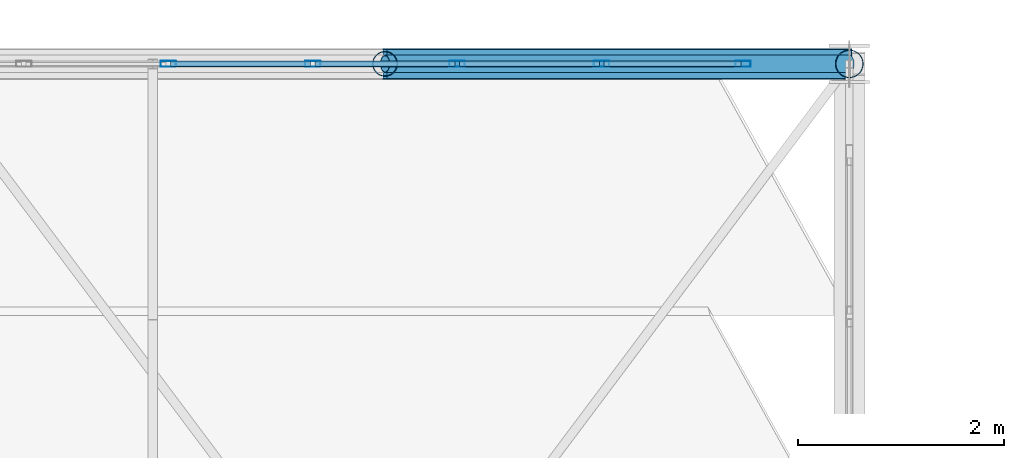
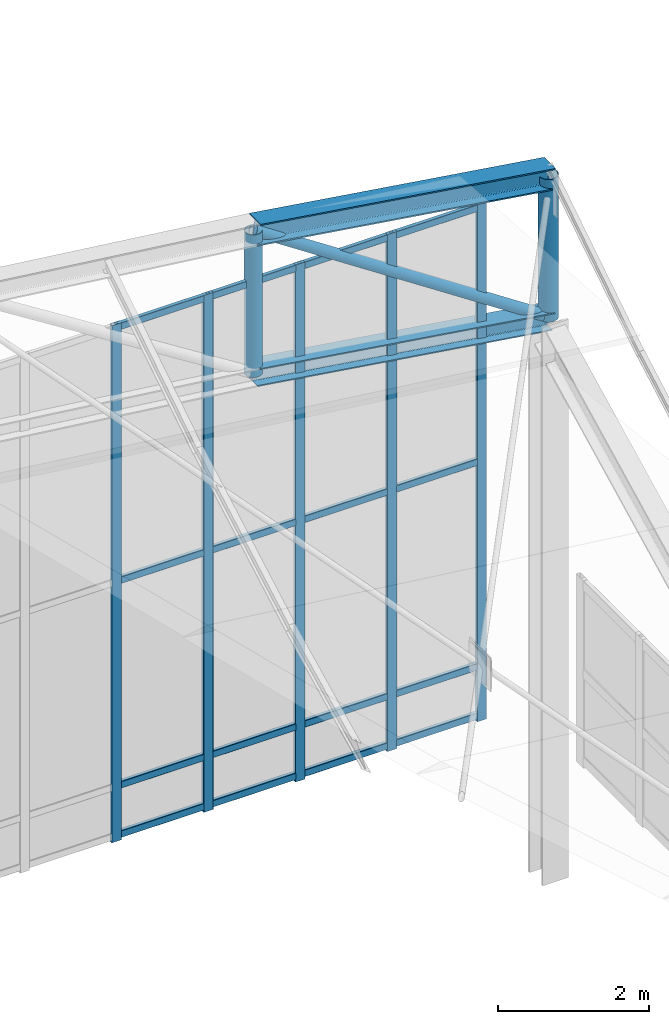
# One storey, part 202 of 262: 26 members, 1 element without a shape of its own.
"""IFC4 building model written with IfcOpenShell, lengths in metres."""

from ifc_helpers import new_model, si_unit, derived_unit, direction, frame, origin, origin_2d, place, context, subcontext, project, spatial, hollow_rectangle, hollow_circle, i_section, extrude, material, layer, layer_set, material_profile, profile_set, type_object, element, aggregate, save


model = new_model("IFC4")

# Units and contexts
model_context = context("Model", 3, precision=1e-05, world=origin(), true_north=direction((0.0, 1.0)))
body_context = subcontext(model_context, "Body", "Model", "MODEL_VIEW")
ifc_project = project(units=[si_unit("LENGTHUNIT", "METRE"), si_unit("AREAUNIT", "SQUARE_METRE"), si_unit("VOLUMEUNIT", "CUBIC_METRE"), si_unit("PLANEANGLEUNIT", "RADIAN"), si_unit("MASSUNIT", "GRAM", prefix="KILO"), derived_unit("THERMALTRANSMITTANCEUNIT", [(si_unit("POWERUNIT", "WATT"), 1), (si_unit("LENGTHUNIT", "METRE"), -2), (si_unit("THERMODYNAMICTEMPERATUREUNIT", "KELVIN"), -1)])], contexts=[model_context])

# Site, building, storey
site_placement = place(None, origin())
site = spatial("IfcSite", under=ifc_project, at=site_placement, CompositionType="ELEMENT")
building_placement = place(site_placement, origin())
building = spatial("IfcBuilding", under=site, at=building_placement, Name="Almenara Railside Exhibition Hall", CompositionType="ELEMENT")
storey_placement = place(building_placement, frame((0.0, 0.0, 21.699951171875)))
storey = spatial("IfcBuildingStorey", under=building, at=storey_placement, Name="RF", CompositionType="ELEMENT", Elevation=21.699951171875)

# Members
ifc_material_1 = material(Name="Structural steel S355JR", Category="steel")
ifc_material_profile_1 = material_profile(ifc_material_1, i_section(OverallWidth=0.280029296875, OverallDepth=0.280029296875, WebThickness=0.010498046875, FlangeThickness=0.01806640625, FilletRadius=0.02392578125, at=origin_2d()), Name="HEB 280")
ifc_profile_set_1 = profile_set([ifc_material_profile_1], Name="Structural steel S355JR")
member_type_1 = type_object("IfcMemberType", Name="Arched Gable Bottom Chord HEB 280 S355JR", PredefinedType="CHORD", material=ifc_profile_set_1)
member_1_placement = place(storey_placement, frame((61.5, 132.0, 7.272216796875), z_axis=(0.9890290442, 0.0, -0.147721189165), x_axis=(0.0, 1.0, 0.0)))
element("IfcMember", 1, at=member_1_placement, inside=storey, type_object=member_type_1, Name="MEM-BC-V1-07-11", PredefinedType="CHORD", context=body_context, shape_type="SweptSolid", body=[
    extrude(i_section(OverallWidth=0.280029296875, OverallDepth=0.280029296875, WebThickness=0.010498046875, FlangeThickness=0.01806640625, FilletRadius=0.02392578125, at=origin_2d()), origin(), (0.0, 0.0, 1.0), 4.5498046875),
])
ifc_material_profile_2 = material_profile(ifc_material_1, i_section(OverallWidth=0.300048828125, OverallDepth=0.340087890625, WebThickness=0.011962890625, FlangeThickness=0.021484375, FilletRadius=0.027099609375, at=origin_2d()), Name="HEB 340")
ifc_profile_set_2 = profile_set([ifc_material_profile_2], Name="Structural steel S355JR")
member_type_2 = type_object("IfcMemberType", Name="Arched Gable Top Chord HEB 340 S355JR", PredefinedType="CHORD", material=ifc_profile_set_2)
member_2_placement = place(storey_placement, frame((61.5, 132.0, 9.572265625), z_axis=(0.9890290442, 0.0, -0.147721189165), x_axis=(0.0, 1.0, 0.0)))
element("IfcMember", 2, at=member_2_placement, inside=storey, type_object=member_type_2, Name="MEM-TC-V1-07-11", PredefinedType="CHORD", context=body_context, shape_type="SweptSolid", body=[
    extrude(i_section(OverallWidth=0.300048828125, OverallDepth=0.340087890625, WebThickness=0.011962890625, FlangeThickness=0.021484375, FilletRadius=0.027099609375, at=origin_2d()), origin(), (0.0, 0.0, 1.0), 4.5498046875),
])

# Curtain wall, members
ifc_material_2 = material(Name="Bronze-anodised aluminium and low-E double glazing", Category="aluminium")
ifc_layer = layer(ifc_material_2, 0.179931640625, Name="Bronze-anodised aluminium and low-E double glazing")
ifc_layer_set = layer_set([ifc_layer], Name="Bronze-anodised aluminium and low-E double glazing")
curtain_wall_type = type_object("IfcCurtainWallType", Name="Scroll Gable Tall Curtain Wall 3800x5400", PredefinedType="NOTDEFINED", material=ifc_layer_set)
curtain_wall_placement = place(storey_placement, origin())
curtain_wall = element("IfcCurtainWall", 3, at=curtain_wall_placement, inside=storey, type_object=curtain_wall_type, Name="Curtain wall CW-G1-206", PredefinedType="NOTDEFINED")
ifc_material_3 = material(Name="Bronze-anodised aluminium", Category="aluminium")
ifc_material_profile_3 = material_profile(ifc_material_3, hollow_rectangle(XDim=0.06005859375, YDim=0.14990234375, WallThickness=0.00341796875, InnerFilletRadius=0.00341796875, OuterFilletRadius=0.007080078125, at=origin_2d()), Name="ALU-MUL 60x150x3.5")
ifc_profile_set_3 = profile_set([ifc_material_profile_3], Name="Bronze-anodised aluminium")
member_type_3 = type_object("IfcMemberType", Name="Curtain Wall Mullion 60x150x3.5", PredefinedType="MULLION", material=ifc_profile_set_3)
member_3_placement = place(storey_placement, frame((59.39990234375, 132.0, 0.465087890625), z_axis=(0.0, 0.0, 1.0), x_axis=(0.0, 1.0, 0.0)))
member_3 = element("IfcMember", 4, at=member_3_placement, type_object=member_type_3, Name="CW-G1-206 mullion 3", PredefinedType="MULLION", context=body_context, shape_type="SweptSolid", body=[
    extrude(hollow_rectangle(XDim=0.06005859375, YDim=0.14990234375, WallThickness=0.00341796875, InnerFilletRadius=0.00341796875, OuterFilletRadius=0.007080078125, at=origin_2d()), origin(), (0.0, 0.0, 1.0), 8.3349609375),
])
member_4_placement = place(storey_placement, frame((60.800048828125, 132.0, 0.465087890625), z_axis=(0.0, 0.0, 1.0), x_axis=(0.0, 1.0, 0.0)))
member_4 = element("IfcMember", 5, at=member_4_placement, type_object=member_type_3, Name="CW-G1-206 mullion 4", PredefinedType="MULLION", context=body_context, shape_type="SweptSolid", body=[
    extrude(hollow_rectangle(XDim=0.06005859375, YDim=0.14990234375, WallThickness=0.00341796875, InnerFilletRadius=0.00341796875, OuterFilletRadius=0.007080078125, at=origin_2d()), origin(), (0.0, 0.0, 1.0), 8.3349609375),
])
member_5_placement = place(storey_placement, frame((62.199951171875, 132.0, 0.465087890625), z_axis=(0.0, 0.0, 1.0), x_axis=(0.0, 1.0, 0.0)))
member_5 = element("IfcMember", 6, at=member_5_placement, type_object=member_type_3, Name="CW-G1-206 mullion 5", PredefinedType="MULLION", context=body_context, shape_type="SweptSolid", body=[
    extrude(hollow_rectangle(XDim=0.06005859375, YDim=0.14990234375, WallThickness=0.00341796875, InnerFilletRadius=0.00341796875, OuterFilletRadius=0.007080078125, at=origin_2d()), origin(), (0.0, 0.0, 1.0), 8.3349609375),
])
member_6_placement = place(storey_placement, frame((63.60009765625, 132.0, 0.465087890625), z_axis=(0.0, 0.0, 1.0), x_axis=(0.0, 1.0, 0.0)))
member_6 = element("IfcMember", 7, at=member_6_placement, type_object=member_type_3, Name="CW-G1-206 mullion 6", PredefinedType="MULLION", context=body_context, shape_type="SweptSolid", body=[
    extrude(hollow_rectangle(XDim=0.06005859375, YDim=0.14990234375, WallThickness=0.00341796875, InnerFilletRadius=0.00341796875, OuterFilletRadius=0.007080078125, at=origin_2d()), origin(), (0.0, 0.0, 1.0), 8.3349609375),
])
member_7_placement = place(storey_placement, frame((64.969970703125, 132.0, 0.465087890625), z_axis=(0.0, 0.0, 1.0), x_axis=(0.0, 1.0, 0.0)))
member_7 = element("IfcMember", 8, at=member_7_placement, type_object=member_type_3, Name="CW-G1-206 mullion 7", PredefinedType="MULLION", context=body_context, shape_type="SweptSolid", body=[
    extrude(hollow_rectangle(XDim=0.06005859375, YDim=0.14990234375, WallThickness=0.00341796875, InnerFilletRadius=0.00341796875, OuterFilletRadius=0.007080078125, at=origin_2d()), origin(), (0.0, 0.0, 1.0), 8.3349609375),
])
ifc_material_profile_4 = material_profile(ifc_material_3, hollow_rectangle(XDim=0.06005859375, YDim=0.110107421875, WallThickness=0.0029296875, InnerFilletRadius=0.0029296875, OuterFilletRadius=0.006103515625, at=origin_2d()), Name="ALU-TRN 60x110x3")
ifc_profile_set_4 = profile_set([ifc_material_profile_4], Name="Bronze-anodised aluminium")
member_type_4 = type_object("IfcMemberType", Name="Curtain Wall Transom 60x110x3", PredefinedType="USERDEFINED", material=ifc_profile_set_4)
member_8_placement = place(storey_placement, frame((59.422119140625, 132.0, 0.554931640625), z_axis=(1.0, 0.0, 0.0), x_axis=(0.0, 1.0, 0.0)))
member_8 = element("IfcMember", 9, at=member_8_placement, type_object=member_type_4, Name="CW-G1-206 transom 3.1", ObjectType="TRANSOM", PredefinedType="USERDEFINED", context=body_context, shape_type="SweptSolid", body=[
    extrude(hollow_rectangle(XDim=0.06005859375, YDim=0.110107421875, WallThickness=0.0029296875, InnerFilletRadius=0.0029296875, OuterFilletRadius=0.006103515625, at=origin_2d()), origin(), (0.0, 0.0, 1.0), 1.35595703125),
])
member_9_placement = place(storey_placement, frame((59.422119140625, 132.0, 1.35009765625), z_axis=(1.0, 0.0, 0.0), x_axis=(0.0, 1.0, 0.0)))
member_9 = element("IfcMember", 10, at=member_9_placement, type_object=member_type_4, Name="CW-G1-206 transom 3.2", ObjectType="TRANSOM", PredefinedType="USERDEFINED", context=body_context, shape_type="SweptSolid", body=[
    extrude(hollow_rectangle(XDim=0.06005859375, YDim=0.110107421875, WallThickness=0.0029296875, InnerFilletRadius=0.0029296875, OuterFilletRadius=0.006103515625, at=origin_2d()), origin(), (0.0, 0.0, 1.0), 1.35595703125),
])
member_10_placement = place(storey_placement, frame((59.422119140625, 132.0, 4.650146484375), z_axis=(1.0, 0.0, 0.0), x_axis=(0.0, 1.0, 0.0)))
member_10 = element("IfcMember", 11, at=member_10_placement, type_object=member_type_4, Name="CW-G1-206 transom 3.3", ObjectType="TRANSOM", PredefinedType="USERDEFINED", context=body_context, shape_type="SweptSolid", body=[
    extrude(hollow_rectangle(XDim=0.06005859375, YDim=0.110107421875, WallThickness=0.0029296875, InnerFilletRadius=0.0029296875, OuterFilletRadius=0.006103515625, at=origin_2d()), origin(), (0.0, 0.0, 1.0), 1.35595703125),
])
member_11_placement = place(storey_placement, frame((59.422119140625, 132.0, 8.7451171875), z_axis=(1.0, 0.0, 0.0), x_axis=(0.0, 1.0, 0.0)))
member_11 = element("IfcMember", 12, at=member_11_placement, type_object=member_type_4, Name="CW-G1-206 transom 3.4", ObjectType="TRANSOM", PredefinedType="USERDEFINED", context=body_context, shape_type="SweptSolid", body=[
    extrude(hollow_rectangle(XDim=0.06005859375, YDim=0.110107421875, WallThickness=0.0029296875, InnerFilletRadius=0.0029296875, OuterFilletRadius=0.006103515625, at=origin_2d()), origin(), (0.0, 0.0, 1.0), 1.35595703125),
])
member_12_placement = place(storey_placement, frame((60.822021484375, 132.0, 0.554931640625), z_axis=(1.0, 0.0, 0.0), x_axis=(0.0, 1.0, 0.0)))
member_12 = element("IfcMember", 13, at=member_12_placement, type_object=member_type_4, Name="CW-G1-206 transom 4.1", ObjectType="TRANSOM", PredefinedType="USERDEFINED", context=body_context, shape_type="SweptSolid", body=[
    extrude(hollow_rectangle(XDim=0.06005859375, YDim=0.110107421875, WallThickness=0.0029296875, InnerFilletRadius=0.0029296875, OuterFilletRadius=0.006103515625, at=origin_2d()), origin(), (0.0, 0.0, 1.0), 1.35595703125),
])
member_13_placement = place(storey_placement, frame((60.822021484375, 132.0, 1.35009765625), z_axis=(1.0, 0.0, 0.0), x_axis=(0.0, 1.0, 0.0)))
member_13 = element("IfcMember", 14, at=member_13_placement, type_object=member_type_4, Name="CW-G1-206 transom 4.2", ObjectType="TRANSOM", PredefinedType="USERDEFINED", context=body_context, shape_type="SweptSolid", body=[
    extrude(hollow_rectangle(XDim=0.06005859375, YDim=0.110107421875, WallThickness=0.0029296875, InnerFilletRadius=0.0029296875, OuterFilletRadius=0.006103515625, at=origin_2d()), origin(), (0.0, 0.0, 1.0), 1.35595703125),
])
member_14_placement = place(storey_placement, frame((60.822021484375, 132.0, 4.650146484375), z_axis=(1.0, 0.0, 0.0), x_axis=(0.0, 1.0, 0.0)))
member_14 = element("IfcMember", 15, at=member_14_placement, type_object=member_type_4, Name="CW-G1-206 transom 4.3", ObjectType="TRANSOM", PredefinedType="USERDEFINED", context=body_context, shape_type="SweptSolid", body=[
    extrude(hollow_rectangle(XDim=0.06005859375, YDim=0.110107421875, WallThickness=0.0029296875, InnerFilletRadius=0.0029296875, OuterFilletRadius=0.006103515625, at=origin_2d()), origin(), (0.0, 0.0, 1.0), 1.35595703125),
])
member_15_placement = place(storey_placement, frame((60.822021484375, 132.0, 8.7451171875), z_axis=(1.0, 0.0, 0.0), x_axis=(0.0, 1.0, 0.0)))
member_15 = element("IfcMember", 16, at=member_15_placement, type_object=member_type_4, Name="CW-G1-206 transom 4.4", ObjectType="TRANSOM", PredefinedType="USERDEFINED", context=body_context, shape_type="SweptSolid", body=[
    extrude(hollow_rectangle(XDim=0.06005859375, YDim=0.110107421875, WallThickness=0.0029296875, InnerFilletRadius=0.0029296875, OuterFilletRadius=0.006103515625, at=origin_2d()), origin(), (0.0, 0.0, 1.0), 1.35595703125),
])
member_16_placement = place(storey_placement, frame((62.221923828125, 132.0, 0.554931640625), z_axis=(1.0, 0.0, 0.0), x_axis=(0.0, 1.0, 0.0)))
member_16 = element("IfcMember", 17, at=member_16_placement, type_object=member_type_4, Name="CW-G1-206 transom 5.1", ObjectType="TRANSOM", PredefinedType="USERDEFINED", context=body_context, shape_type="SweptSolid", body=[
    extrude(hollow_rectangle(XDim=0.06005859375, YDim=0.110107421875, WallThickness=0.0029296875, InnerFilletRadius=0.0029296875, OuterFilletRadius=0.006103515625, at=origin_2d()), origin(), (0.0, 0.0, 1.0), 1.35595703125),
])
member_17_placement = place(storey_placement, frame((62.221923828125, 132.0, 1.35009765625), z_axis=(1.0, 0.0, 0.0), x_axis=(0.0, 1.0, 0.0)))
member_17 = element("IfcMember", 18, at=member_17_placement, type_object=member_type_4, Name="CW-G1-206 transom 5.2", ObjectType="TRANSOM", PredefinedType="USERDEFINED", context=body_context, shape_type="SweptSolid", body=[
    extrude(hollow_rectangle(XDim=0.06005859375, YDim=0.110107421875, WallThickness=0.0029296875, InnerFilletRadius=0.0029296875, OuterFilletRadius=0.006103515625, at=origin_2d()), origin(), (0.0, 0.0, 1.0), 1.35595703125),
])
member_18_placement = place(storey_placement, frame((62.221923828125, 132.0, 4.650146484375), z_axis=(1.0, 0.0, 0.0), x_axis=(0.0, 1.0, 0.0)))
member_18 = element("IfcMember", 19, at=member_18_placement, type_object=member_type_4, Name="CW-G1-206 transom 5.3", ObjectType="TRANSOM", PredefinedType="USERDEFINED", context=body_context, shape_type="SweptSolid", body=[
    extrude(hollow_rectangle(XDim=0.06005859375, YDim=0.110107421875, WallThickness=0.0029296875, InnerFilletRadius=0.0029296875, OuterFilletRadius=0.006103515625, at=origin_2d()), origin(), (0.0, 0.0, 1.0), 1.35595703125),
])
member_19_placement = place(storey_placement, frame((62.221923828125, 132.0, 8.7451171875), z_axis=(1.0, 0.0, 0.0), x_axis=(0.0, 1.0, 0.0)))
member_19 = element("IfcMember", 20, at=member_19_placement, type_object=member_type_4, Name="CW-G1-206 transom 5.4", ObjectType="TRANSOM", PredefinedType="USERDEFINED", context=body_context, shape_type="SweptSolid", body=[
    extrude(hollow_rectangle(XDim=0.06005859375, YDim=0.110107421875, WallThickness=0.0029296875, InnerFilletRadius=0.0029296875, OuterFilletRadius=0.006103515625, at=origin_2d()), origin(), (0.0, 0.0, 1.0), 1.35595703125),
])
member_20_placement = place(storey_placement, frame((63.6220703125, 132.0, 0.554931640625), z_axis=(1.0, 0.0, 0.0), x_axis=(0.0, 1.0, 0.0)))
member_20 = element("IfcMember", 21, at=member_20_placement, type_object=member_type_4, Name="CW-G1-206 transom 6.1", ObjectType="TRANSOM", PredefinedType="USERDEFINED", context=body_context, shape_type="SweptSolid", body=[
    extrude(hollow_rectangle(XDim=0.06005859375, YDim=0.110107421875, WallThickness=0.0029296875, InnerFilletRadius=0.0029296875, OuterFilletRadius=0.006103515625, at=origin_2d()), origin(), (0.0, 0.0, 1.0), 1.325927734375),
])
member_21_placement = place(storey_placement, frame((63.6220703125, 132.0, 1.35009765625), z_axis=(1.0, 0.0, 0.0), x_axis=(0.0, 1.0, 0.0)))
member_21 = element("IfcMember", 22, at=member_21_placement, type_object=member_type_4, Name="CW-G1-206 transom 6.2", ObjectType="TRANSOM", PredefinedType="USERDEFINED", context=body_context, shape_type="SweptSolid", body=[
    extrude(hollow_rectangle(XDim=0.06005859375, YDim=0.110107421875, WallThickness=0.0029296875, InnerFilletRadius=0.0029296875, OuterFilletRadius=0.006103515625, at=origin_2d()), origin(), (0.0, 0.0, 1.0), 1.325927734375),
])
member_22_placement = place(storey_placement, frame((63.6220703125, 132.0, 4.650146484375), z_axis=(1.0, 0.0, 0.0), x_axis=(0.0, 1.0, 0.0)))
member_22 = element("IfcMember", 23, at=member_22_placement, type_object=member_type_4, Name="CW-G1-206 transom 6.3", ObjectType="TRANSOM", PredefinedType="USERDEFINED", context=body_context, shape_type="SweptSolid", body=[
    extrude(hollow_rectangle(XDim=0.06005859375, YDim=0.110107421875, WallThickness=0.0029296875, InnerFilletRadius=0.0029296875, OuterFilletRadius=0.006103515625, at=origin_2d()), origin(), (0.0, 0.0, 1.0), 1.325927734375),
])
member_23_placement = place(storey_placement, frame((63.6220703125, 132.0, 8.7451171875), z_axis=(1.0, 0.0, 0.0), x_axis=(0.0, 1.0, 0.0)))
member_23 = element("IfcMember", 24, at=member_23_placement, type_object=member_type_4, Name="CW-G1-206 transom 6.4", ObjectType="TRANSOM", PredefinedType="USERDEFINED", context=body_context, shape_type="SweptSolid", body=[
    extrude(hollow_rectangle(XDim=0.06005859375, YDim=0.110107421875, WallThickness=0.0029296875, InnerFilletRadius=0.0029296875, OuterFilletRadius=0.006103515625, at=origin_2d()), origin(), (0.0, 0.0, 1.0), 1.325927734375),
])
aggregate(curtain_wall, [member_3, member_4, member_5, member_6, member_7, member_8, member_9, member_10, member_11, member_12, member_13, member_14, member_15, member_16, member_17, member_18, member_19, member_20, member_21, member_22, member_23])

# Members
ifc_material_profile_5 = material_profile(ifc_material_1, hollow_circle(Radius=0.084228515625, WallThickness=0.006103515625, at=origin_2d()), Name="CHS 168.3x6")
ifc_profile_set_5 = profile_set([ifc_material_profile_5], Name="Structural steel S355JR")
member_type_5 = type_object("IfcMemberType", Name="Truss End Diagonal CHS 168.3x6 S355JR", PredefinedType="BRACE", material=ifc_profile_set_5)
member_24_placement = place(storey_placement, frame((61.5, 132.0, 9.572265625), z_axis=(0.834424544227, 0.0, -0.551122200598), x_axis=(0.0, 1.0, 0.0)))
element("IfcMember", 25, at=member_24_placement, inside=storey, type_object=member_type_5, Name="MEM-TD-V1-07-11", PredefinedType="BRACE", context=body_context, shape_type="SweptSolid", body=[
    extrude(hollow_circle(Radius=0.084228515625, WallThickness=0.006103515625, at=origin_2d()), origin(), (0.0, 0.0, 1.0), 5.392822265625),
])
ifc_material_profile_6 = material_profile(ifc_material_1, hollow_circle(Radius=0.122314453125, WallThickness=0.008056640625, at=origin_2d()), Name="CHS 244.5x8")
ifc_profile_set_6 = profile_set([ifc_material_profile_6], Name="Structural steel S355JR")
member_type_6 = type_object("IfcMemberType", Name="Truss Haunch Vertical Strut CHS 244.5x8 S355JR", PredefinedType="BRACE", material=ifc_profile_set_6)
member_25_placement = place(storey_placement, frame((61.5, 132.0, 7.272216796875), z_axis=(0.0, 0.0, 1.0), x_axis=(1.0, 0.0, 0.0)))
element("IfcMember", 26, at=member_25_placement, inside=storey, type_object=member_type_6, Name="MEM-TV-V1-07-11", PredefinedType="BRACE", context=body_context, shape_type="SweptSolid", body=[
    extrude(hollow_circle(Radius=0.122314453125, WallThickness=0.008056640625, at=origin_2d()), origin(), (0.0, 0.0, 1.0), 2.300048828125),
])
ifc_material_profile_7 = material_profile(ifc_material_1, hollow_circle(Radius=0.136474609375, WallThickness=0.008056640625, at=origin_2d()), Name="CHS 273x8")
ifc_profile_set_7 = profile_set([ifc_material_profile_7], Name="Structural steel S355JR")
member_type_7 = type_object("IfcMemberType", Name="Truss Support Vertical Strut CHS 273x8 S355JR", PredefinedType="BRACE", material=ifc_profile_set_7)
member_26_placement = place(storey_placement, frame((66.0, 132.0, 6.60009765625), z_axis=(0.0, 0.0, 1.0), x_axis=(1.0, 0.0, 0.0)))
element("IfcMember", 27, at=member_26_placement, inside=storey, type_object=member_type_7, Name="MEM-TV-V1-07-12", PredefinedType="BRACE", context=body_context, shape_type="SweptSolid", body=[
    extrude(hollow_circle(Radius=0.136474609375, WallThickness=0.008056640625, at=origin_2d()), origin(), (0.0, 0.0, 1.0), 2.300048828125),
])

save(model, "model.ifc")
